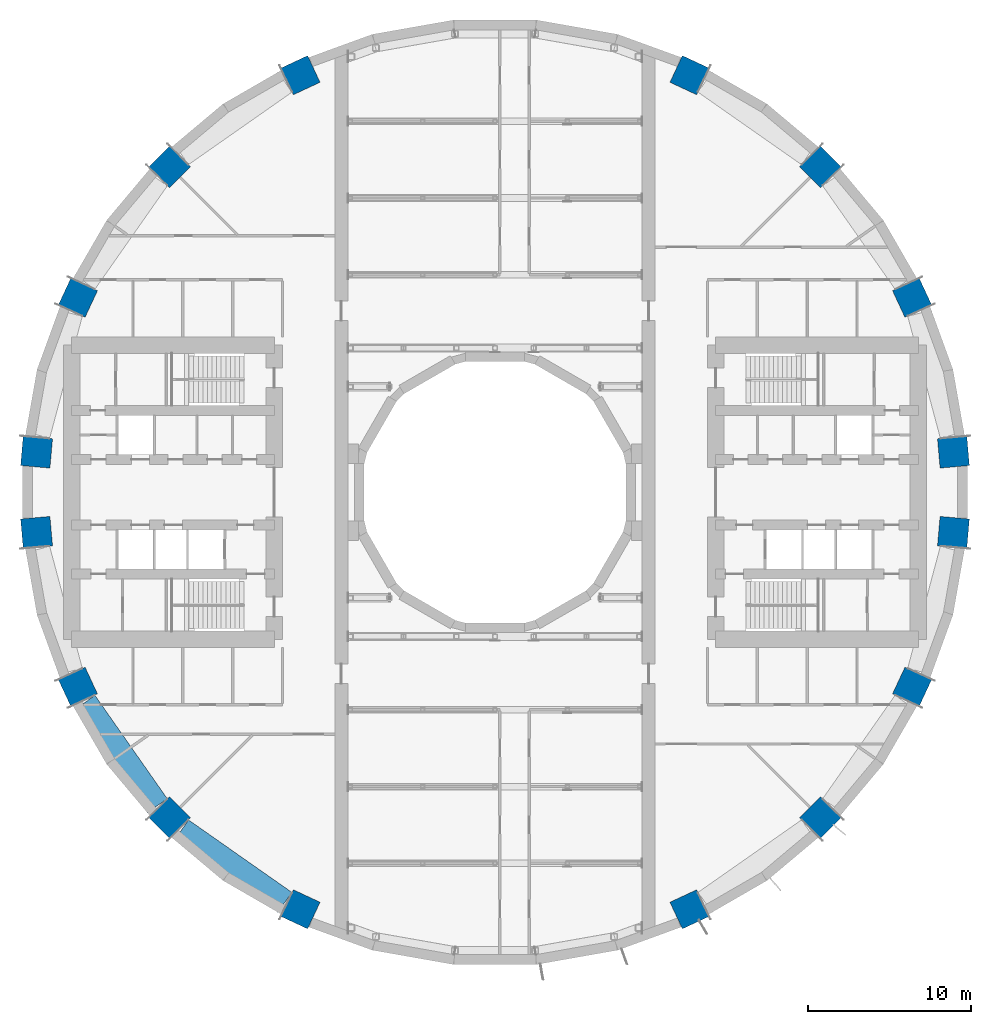
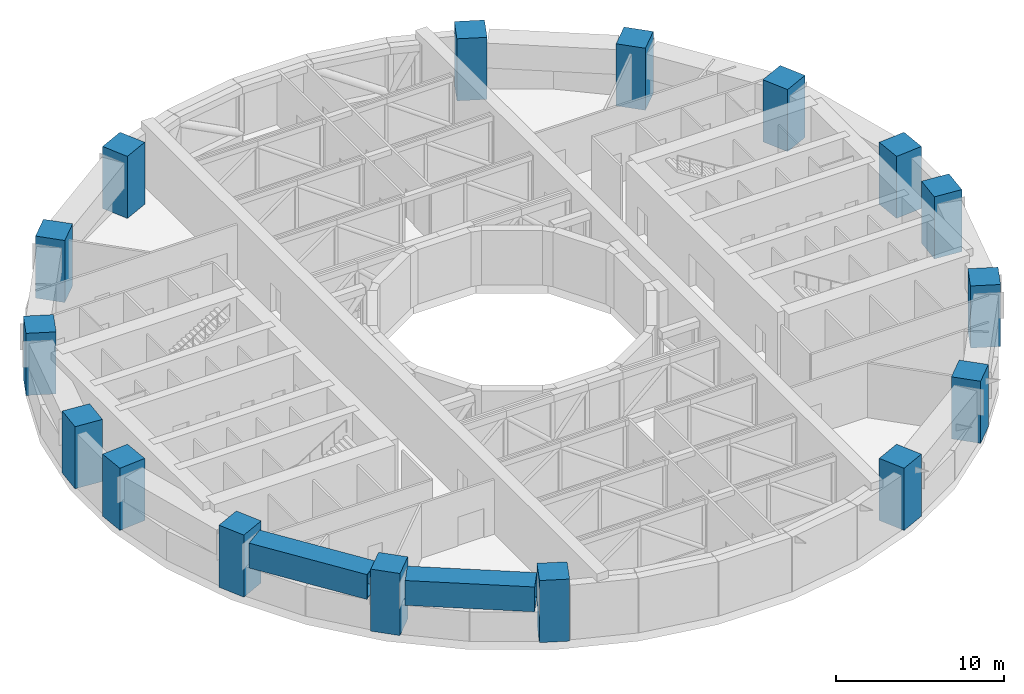
# One storey, part 1 of 21: 16 columns, 2 beams.
"""IFC4 building model written with IfcOpenShell, lengths in metres."""

from ifc_helpers import new_model, si_unit, direction, frame, origin, origin_2d, place, context, subcontext, project, spatial, rectangle, hollow_rectangle, extrude, material, material_profile, profile_set, type_object, element, save


model = new_model("IFC4")

# Units and contexts
model_context = context("Model", 3, precision=1e-05, world=origin(), true_north=direction((0.0, 1.0)))
body_context = subcontext(model_context, "Body", "Model", "MODEL_VIEW")
ifc_project = project(units=[si_unit("LENGTHUNIT", "METRE"), si_unit("AREAUNIT", "SQUARE_METRE"), si_unit("VOLUMEUNIT", "CUBIC_METRE"), si_unit("PLANEANGLEUNIT", "RADIAN"), si_unit("MASSUNIT", "GRAM", prefix="KILO")], contexts=[model_context])

# Site, building, storey
site_placement = place(None, origin())
site = spatial("IfcSite", under=ifc_project, at=site_placement, CompositionType="ELEMENT")
building_placement = place(site_placement, origin())
building = spatial("IfcBuilding", under=site, at=building_placement, Name="Saqina Gate Tower", CompositionType="ELEMENT")
storey_placement = place(building_placement, frame((0.0, 0.0, 21.800048828125)))
storey = spatial("IfcBuildingStorey", under=building, at=storey_placement, Name="L05", CompositionType="ELEMENT", Elevation=21.800048828125)

# Columns
ifc_material_1 = material(Name="Concrete C70/85", Category="concrete")
ifc_material_profile_1 = material_profile(ifc_material_1, rectangle(XDim=1.800048828125, YDim=1.800048828125, at=origin_2d()), Name="RC 1800x1800")
ifc_profile_set_1 = profile_set([ifc_material_profile_1], Name="Concrete C70/85")
column_type = type_object("IfcColumnType", Name="STR-COL-MEGA-P", PredefinedType="COLUMN", material=ifc_profile_set_1)
for number, where, z_axis, x_axis, name in (
    (1, (28.04296875, 2.453369140625, 0.0), (0.0, 0.0, 1.0), (0.996194698092, 0.087155742748, 0.0), "L05-COL01"),
    (2, (25.512451171875, 11.896728515625, 0.0), (0.0, 0.0, 1.0), (0.906307787037, 0.422618261741, 0.0), "L05-COL03"),
    (3, (19.905029296875, 19.905029296875, 0.0), (0.0, 0.0, 1.0), (0.707106781187, 0.707106781187, 0.0), "L05-COL05"),
    (4, (11.896728515625, 25.512451171875, 0.0), (0.0, 0.0, 1.0), (0.422618261741, 0.906307787037, 0.0), "L05-COL07"),
    (5, (-11.896728515625, 25.512451171875, 0.0), (0.0, 0.0, 1.0), (-0.422618261741, 0.906307787037, 0.0), "L05-COL12"),
    (6, (-19.905029296875, 19.905029296875, 0.0), (0.0, 0.0, 1.0), (-0.707106781187, 0.707106781187, 0.0), "L05-COL14"),
    (7, (-25.512451171875, 11.896728515625, 0.0), (0.0, 0.0, 1.0), (-0.906307787037, 0.422618261741, 0.0), "L05-COL16"),
    (8, (-28.04296875, 2.453369140625, 0.0), (0.0, 0.0, 1.0), (-0.996194698092, 0.087155742748, 0.0), "L05-COL18"),
    (9, (-28.04296875, -2.453369140625, 0.0), (0.0, 0.0, 1.0), (-0.996194698092, -0.087155742748, 0.0), "L05-COL19"),
    (10, (-25.512451171875, -11.896728515625, 0.0), (0.0, 0.0, 1.0), (-0.906307787037, -0.422618261741, 0.0), "L05-COL21"),
    (11, (-19.905029296875, -19.905029296875, 0.0), (0.0, 0.0, 1.0), (-0.707106781187, -0.707106781187, 0.0), "L05-COL23"),
    (12, (-11.896728515625, -25.512451171875, 0.0), (0.0, 0.0, 1.0), (-0.422618261741, -0.906307787037, 0.0), "L05-COL25"),
    (13, (11.896728515625, -25.512451171875, 0.0), (0.0, 0.0, 1.0), (0.422618261741, -0.906307787037, 0.0), "L05-COL30"),
    (14, (19.905029296875, -19.905029296875, 0.0), (0.0, 0.0, 1.0), (0.707106781187, -0.707106781187, 0.0), "L05-COL32"),
    (15, (25.512451171875, -11.896728515625, 0.0), (0.0, 0.0, 1.0), (0.906307787037, -0.422618261741, 0.0), "L05-COL34"),
    (16, (28.04296875, -2.453369140625, 0.0), (0.0, 0.0, 1.0), (0.996194698092, -0.087155742748, 0.0), "L05-COL36"),
):
    element("IfcColumn", number, at=place(storey_placement, frame(where, z_axis=z_axis, x_axis=x_axis)), inside=storey, type_object=column_type, Name=name, PredefinedType="COLUMN", context=body_context, shape_type="SweptSolid", body=[
        extrude(rectangle(XDim=1.800048828125, YDim=1.800048828125, at=origin_2d()), origin(), (0.0, 0.0, 1.0), 4.5),
    ])

# Beams
ifc_material_2 = material(Name="Steel S460", Category="steel")
ifc_material_profile_2 = material_profile(ifc_material_2, hollow_rectangle(XDim=1.5, YDim=1.800048828125, WallThickness=0.06005859375, at=origin_2d()), Name="BOX 1500x1800x60")
ifc_profile_set_2 = profile_set([ifc_material_profile_2], Name="Steel S460")
beam_type = type_object("IfcBeamType", Name="STR-PODIUM TRANSFER GIRDER-BOX 1500x1800x60", PredefinedType="BEAM", material=ifc_profile_set_2)
for number, where, z_axis, x_axis, name in (
    (17, (-25.086181640625, -12.8544921875, 3.050048828125), (0.573585469679, -0.81914571901, 0.0), (0.81914571901, 0.573585469679, 0.0), "PODIUM TRANSFER GIRDER 08"),
    (18, (-19.1767578125, -20.6591796875, 3.050048828125), (0.81914571901, -0.573585469679, 0.0), (0.573585469679, 0.81914571901, 0.0), "PODIUM TRANSFER GIRDER 09"),
):
    element("IfcBeam", number, at=place(storey_placement, frame(where, z_axis=z_axis, x_axis=x_axis)), inside=storey, type_object=beam_type, Name=name, PredefinedType="BEAM", context=body_context, shape_type="SweptSolid", body=[
        extrude(hollow_rectangle(XDim=1.5, YDim=1.800048828125, WallThickness=0.06005859375, at=origin_2d()), origin(), (0.0, 0.0, 1.0), 7.718017578125),
    ])

save(model, "model.ifc")
